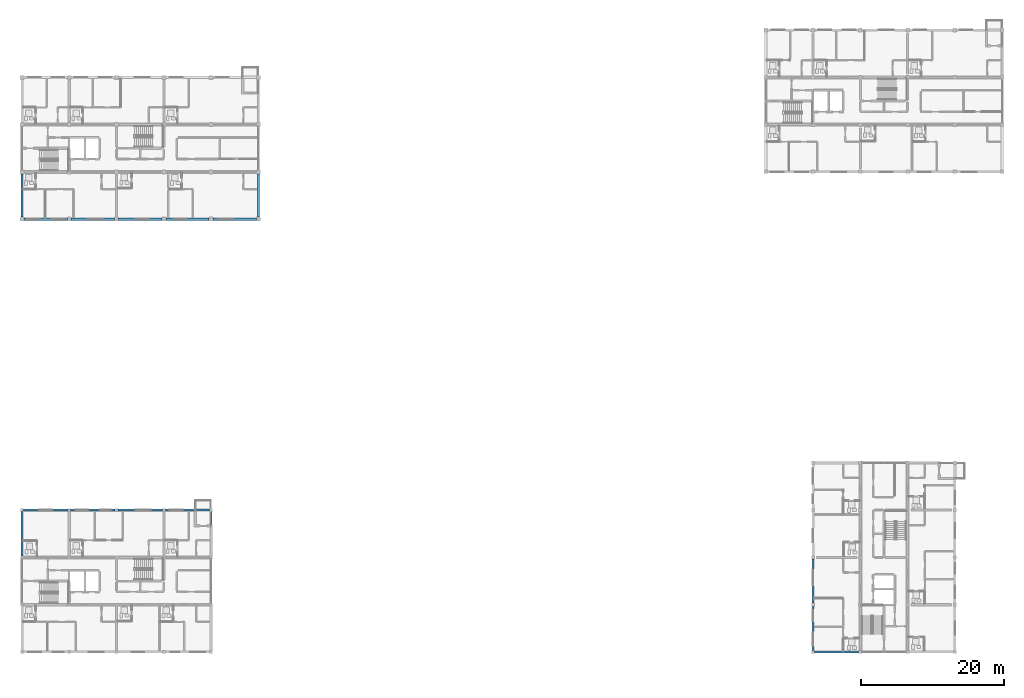
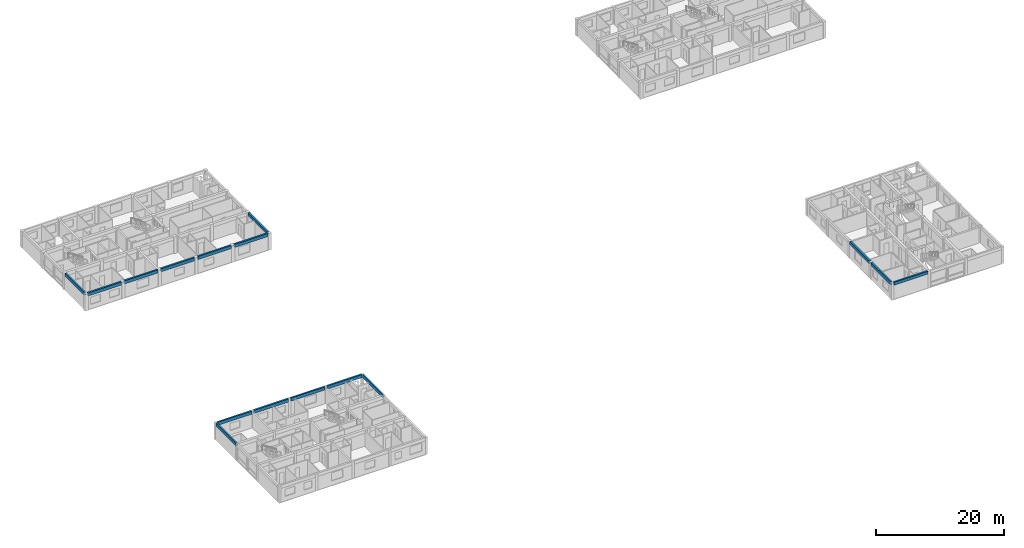
# One storey, part 11 of 45: 16 beams.
"""IFC4 building model written with IfcOpenShell, lengths in metres."""

from ifc_helpers import new_model, si_unit, direction, frame, origin, origin_2d, place, context, subcontext, project, spatial, rectangle, extrude, material, material_profile, profile_set, type_object, element, save


model = new_model("IFC4")

# Units and contexts
model_context = context("Model", 3, precision=1e-05, world=origin(), true_north=direction((0.0, 1.0)))
body_context = subcontext(model_context, "Body", "Model", "MODEL_VIEW")
ifc_project = project(units=[si_unit("LENGTHUNIT", "METRE"), si_unit("AREAUNIT", "SQUARE_METRE"), si_unit("VOLUMEUNIT", "CUBIC_METRE"), si_unit("PLANEANGLEUNIT", "RADIAN"), si_unit("MASSUNIT", "GRAM", prefix="KILO")], contexts=[model_context])

# Site, building, storey
site_placement = place(None, origin())
site = spatial("IfcSite", under=ifc_project, at=site_placement, CompositionType="ELEMENT")
building_placement = place(site_placement, origin())
building = spatial("IfcBuilding", under=site, at=building_placement, Name="Kernevlak Ridge Housing Community", CompositionType="ELEMENT")
storey_placement = place(building_placement, frame((0.0, 0.0, 21.199951171875)))
storey = spatial("IfcBuildingStorey", under=building, at=storey_placement, Name="L06", CompositionType="ELEMENT", Elevation=21.199951171875)

# Beams
ifc_material = material(Name="Concrete C35/45", Category="concrete")
ifc_material_profile_1 = material_profile(ifc_material, rectangle(XDim=0.300048828125, YDim=0.550048828125, at=origin_2d()), Name="RC 300x550")
ifc_profile_set_1 = profile_set([ifc_material_profile_1], Name="Concrete C35/45")
beam_type_1 = type_object("IfcBeamType", Name="SP-01", PredefinedType="SPANDREL", material=ifc_profile_set_1)
for number, where, z_axis, x_axis, name in (
    (1, (15.60009765625, 76.27490234375, 2.925048828125), (0.0, 1.0, 0.0), (-1.0, 0.0, 0.0), "Beam SP-01 L06 233"),
    (2, (48.60009765625, 76.27490234375, 2.925048828125), (0.0, 1.0, 0.0), (-1.0, 0.0, 0.0), "Beam SP-01 L06 236"),
):
    element("IfcBeam", number, at=place(storey_placement, frame(where, z_axis=z_axis, x_axis=x_axis)), inside=storey, type_object=beam_type_1, Name=name, PredefinedType="SPANDREL", context=body_context, shape_type="SweptSolid", body=[
        extrude(rectangle(XDim=0.300048828125, YDim=0.550048828125, at=origin_2d()), origin(), (0.0, 0.0, 1.0), 6.050048828125),
    ])
beam_1_placement = place(storey_placement, frame((126.22509765625, 15.60009765625, 2.925048828125), z_axis=(1.0, 0.0, 0.0), x_axis=(0.0, 1.0, 0.0)))
element("IfcBeam", 3, at=beam_1_placement, inside=storey, type_object=beam_type_1, Name="Beam SP-01 L06 1150", PredefinedType="SPANDREL", context=body_context, shape_type="SweptSolid", body=[
    extrude(rectangle(XDim=0.300048828125, YDim=0.550048828125, at=origin_2d()), origin(), (0.0, 0.0, 1.0), 6.14990234375),
])
for number, where, z_axis, x_axis, name in (
    (4, (15.60009765625, 29.0, 2.925048828125), (0.0, 1.0, 0.0), (-1.0, 0.0, 0.0), "Beam SP-01 L06 1472"),
    (5, (42.0, 29.0, 2.925048828125), (0.0, 1.0, 0.0), (-1.0, 0.0, 0.0), "Beam SP-01 L06 1475"),
):
    element("IfcBeam", number, at=place(storey_placement, frame(where, z_axis=z_axis, x_axis=x_axis)), inside=storey, type_object=beam_type_1, Name=name, PredefinedType="SPANDREL", context=body_context, shape_type="SweptSolid", body=[
        extrude(rectangle(XDim=0.300048828125, YDim=0.550048828125, at=origin_2d()), origin(), (0.0, 0.0, 1.0), 6.199951171875),
    ])
ifc_material_profile_2 = material_profile(ifc_material, rectangle(XDim=0.300048828125, YDim=0.60009765625, at=origin_2d()), Name="RC 300x600")
ifc_profile_set_2 = profile_set([ifc_material_profile_2], Name="Concrete C35/45")
beam_type_2 = type_object("IfcBeamType", Name="SP-02", PredefinedType="SPANDREL", material=ifc_profile_set_2)
beam_2_placement = place(storey_placement, frame((15.875, 76.0, 2.900146484375), z_axis=(1.0, 0.0, 0.0), x_axis=(0.0, 1.0, 0.0)))
element("IfcBeam", 6, at=beam_2_placement, inside=storey, type_object=beam_type_2, Name="Beam SP-02 L06 213", PredefinedType="SPANDREL", context=body_context, shape_type="SweptSolid", body=[
    extrude(rectangle(XDim=0.300048828125, YDim=0.60009765625, at=origin_2d()), origin(), (0.0, 0.0, 1.0), 6.050048828125),
])
beam_3_placement = place(storey_placement, frame((22.47509765625, 76.0, 2.900146484375), z_axis=(1.0, 0.0, 0.0), x_axis=(0.0, 1.0, 0.0)))
element("IfcBeam", 7, at=beam_3_placement, inside=storey, type_object=beam_type_2, Name="Beam SP-02 L06 214", PredefinedType="SPANDREL", context=body_context, shape_type="SweptSolid", body=[
    extrude(rectangle(XDim=0.300048828125, YDim=0.60009765625, at=origin_2d()), origin(), (0.0, 0.0, 1.0), 6.0498046875),
])
for number, where, z_axis, x_axis, name in (
    (8, (29.074951171875, 76.0, 2.900146484375), (1.0, 0.0, 0.0), (0.0, 1.0, 0.0), "Beam SP-02 L06 215"),
    (9, (35.675048828125, 76.0, 2.900146484375), (1.0, 0.0, 0.0), (0.0, 1.0, 0.0), "Beam SP-02 L06 216"),
    (10, (42.27490234375, 76.0, 2.900146484375), (1.0, 0.0, 0.0), (0.0, 1.0, 0.0), "Beam SP-02 L06 217"),
):
    element("IfcBeam", number, at=place(storey_placement, frame(where, z_axis=z_axis, x_axis=x_axis)), inside=storey, type_object=beam_type_2, Name=name, PredefinedType="SPANDREL", context=body_context, shape_type="SweptSolid", body=[
        extrude(rectangle(XDim=0.300048828125, YDim=0.60009765625, at=origin_2d()), origin(), (0.0, 0.0, 1.0), 6.050048828125),
    ])
beam_4_placement = place(storey_placement, frame((126.0, 15.824951171875, 2.900146484375), z_axis=(0.0, 1.0, 0.0), x_axis=(-1.0, 0.0, 0.0)))
element("IfcBeam", 11, at=beam_4_placement, inside=storey, type_object=beam_type_2, Name="Beam SP-02 L06 1134", PredefinedType="SPANDREL", context=body_context, shape_type="SweptSolid", body=[
    extrude(rectangle(XDim=0.300048828125, YDim=0.60009765625, at=origin_2d()), origin(), (0.0, 0.0, 1.0), 6.150146484375),
])
beam_5_placement = place(storey_placement, frame((126.0, 22.425048828125, 2.900146484375), z_axis=(0.0, 1.0, 0.0), x_axis=(-1.0, 0.0, 0.0)))
element("IfcBeam", 12, at=beam_5_placement, inside=storey, type_object=beam_type_2, Name="Beam SP-02 L06 1135", PredefinedType="SPANDREL", context=body_context, shape_type="SweptSolid", body=[
    extrude(rectangle(XDim=0.300048828125, YDim=0.60009765625, at=origin_2d()), origin(), (0.0, 0.0, 1.0), 6.14990234375),
])
beam_6_placement = place(storey_placement, frame((15.800048828125, 35.39990234375, 2.900146484375), z_axis=(1.0, 0.0, 0.0), x_axis=(0.0, 1.0, 0.0)))
element("IfcBeam", 13, at=beam_6_placement, inside=storey, type_object=beam_type_2, Name="Beam SP-02 L06 1466", PredefinedType="SPANDREL", context=body_context, shape_type="SweptSolid", body=[
    extrude(rectangle(XDim=0.300048828125, YDim=0.60009765625, at=origin_2d()), origin(), (0.0, 0.0, 1.0), 6.199951171875),
])
beam_7_placement = place(storey_placement, frame((22.39990234375, 35.39990234375, 2.900146484375), z_axis=(1.0, 0.0, 0.0), x_axis=(0.0, 1.0, 0.0)))
element("IfcBeam", 14, at=beam_7_placement, inside=storey, type_object=beam_type_2, Name="Beam SP-02 L06 1467", PredefinedType="SPANDREL", context=body_context, shape_type="SweptSolid", body=[
    extrude(rectangle(XDim=0.300048828125, YDim=0.60009765625, at=origin_2d()), origin(), (0.0, 0.0, 1.0), 6.2001953125),
])
for number, where, z_axis, x_axis, name in (
    (15, (29.0, 35.39990234375, 2.900146484375), (1.0, 0.0, 0.0), (0.0, 1.0, 0.0), "Beam SP-02 L06 1468"),
    (16, (35.60009765625, 35.39990234375, 2.900146484375), (1.0, 0.0, 0.0), (0.0, 1.0, 0.0), "Beam SP-02 L06 1469"),
):
    element("IfcBeam", number, at=place(storey_placement, frame(where, z_axis=z_axis, x_axis=x_axis)), inside=storey, type_object=beam_type_2, Name=name, PredefinedType="SPANDREL", context=body_context, shape_type="SweptSolid", body=[
        extrude(rectangle(XDim=0.300048828125, YDim=0.60009765625, at=origin_2d()), origin(), (0.0, 0.0, 1.0), 6.199951171875),
    ])

save(model, "model.ifc")
